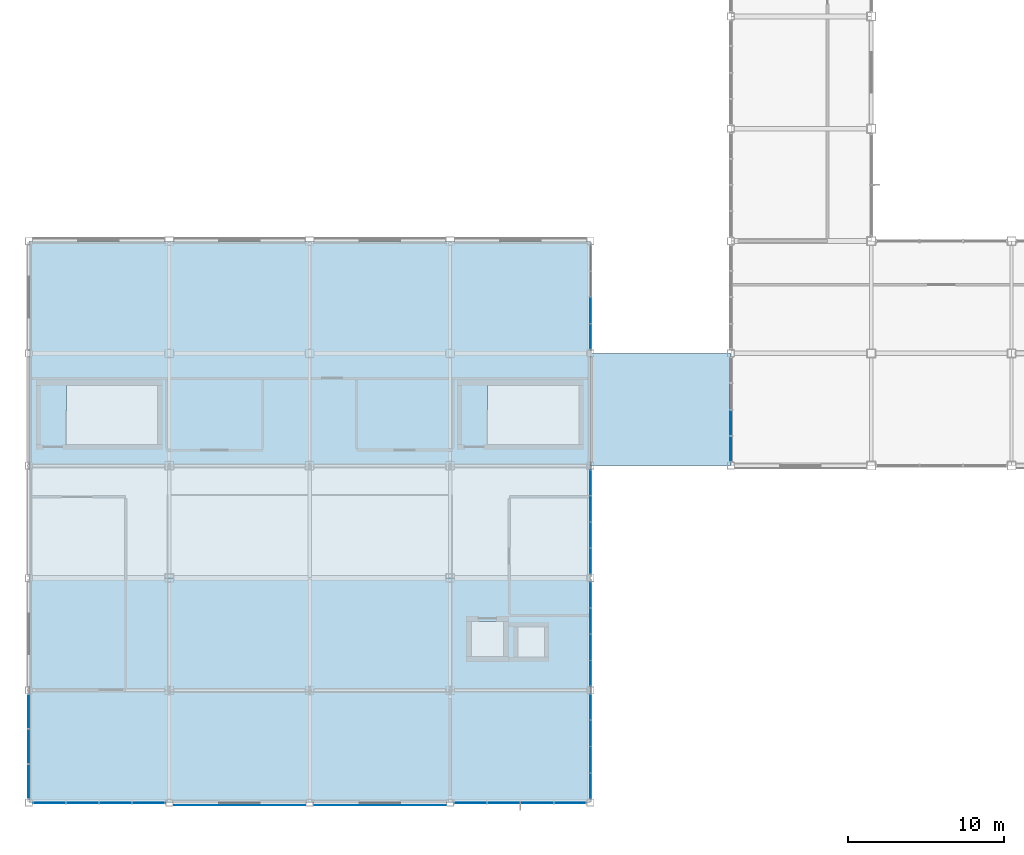
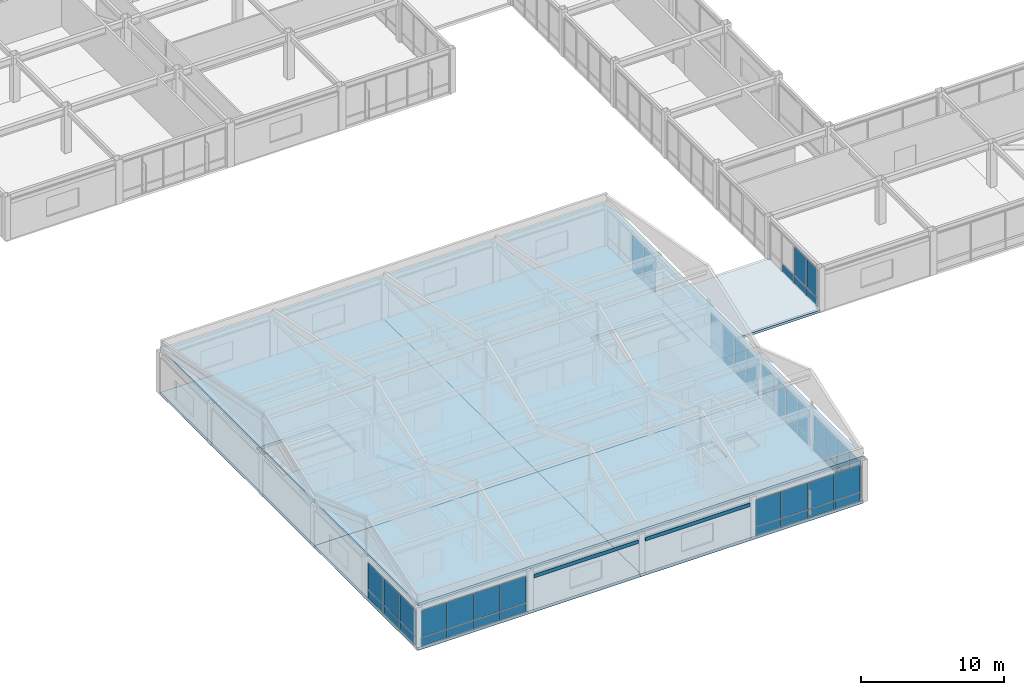
# One storey, part 83 of 113: 57 plates, 6 slabs, 8 elements without a shape of their own.
"""IFC4 building model written with IfcOpenShell, lengths in metres."""

from ifc_helpers import new_model, si_unit, direction, frame, origin, origin_2d, place, context, subcontext, project, spatial, polyline, rectangle, outline, extrude, material, layer, layer_set, type_object, element, aggregate, save


model = new_model("IFC4")

# Units and contexts
model_context = context("Model", 3, precision=1e-05, world=origin(), true_north=direction((0.0, 1.0)))
body_context = subcontext(model_context, "Body", "Model", "MODEL_VIEW")
ifc_project = project(units=[si_unit("LENGTHUNIT", "METRE"), si_unit("AREAUNIT", "SQUARE_METRE"), si_unit("VOLUMEUNIT", "CUBIC_METRE"), si_unit("PLANEANGLEUNIT", "RADIAN"), si_unit("MASSUNIT", "GRAM", prefix="KILO")], contexts=[model_context])

# Site, building, storey
site_placement = place(None, origin())
site = spatial("IfcSite", under=ifc_project, at=site_placement, CompositionType="ELEMENT")
building_placement = place(site_placement, origin())
building = spatial("IfcBuilding", under=site, at=building_placement, Name="Kazanami Central Library", CompositionType="ELEMENT")
storey_placement = place(building_placement, frame((0.0, 0.0, 8.800048828125)))
storey = spatial("IfcBuildingStorey", under=building, at=storey_placement, Name="L03", CompositionType="ELEMENT", Elevation=8.800048828125)

# Curtain wall, plates
ifc_material_1 = material(Name="Acid-Etched Low-E Laminated Glass", Category="glass")
curtain_wall_type_1 = type_object("IfcCurtainWallType", Name="CW-8550x3130-M225", PredefinedType="USERDEFINED", material=ifc_material_1)
curtain_wall_1_placement = place(storey_placement, origin())
curtain_wall_1 = element("IfcCurtainWall", 1, at=curtain_wall_1_placement, inside=storey, type_object=curtain_wall_type_1, Name="Unitised Curtain Wall CW-24 L03 S-A-00", ObjectType="UNITISED CURTAIN WALL", PredefinedType="USERDEFINED")
ifc_material_2 = material(Name="Low-E Insulated Triple Glass", Category="glass")
ifc_layer_1 = layer(ifc_material_2, 0.0400390625, Name="Low-E Insulated Triple Glass")
ifc_layer_set_1 = layer_set([ifc_layer_1], Name="Low-E Insulated Triple Glass")
plate_type_1 = type_object("IfcPlateType", Name="PLT-CW-P3", PredefinedType="CURTAIN_PANEL", material=ifc_layer_set_1)
plate_1_placement = place(storey_placement, frame((1.31005859375, 0.0, 0.8125), z_axis=(0.0, 0.0, 1.0), x_axis=(1.0, 0.0, 0.0)))
plate_1 = element("IfcPlate", 2, at=plate_1_placement, type_object=plate_type_1, Name="CW-24 panel 1.2", PredefinedType="CURTAIN_PANEL", context=body_context, shape_type="SweptSolid", body=[
    extrude(rectangle(XDim=2.0400390625, YDim=0.0400390625, at=origin_2d()), origin(), (0.0, 0.0, 1.0), 2.25244140625),
])
plate_2_placement = place(storey_placement, frame((3.43115234375, 0.0, 0.8125), z_axis=(0.0, 0.0, 1.0), x_axis=(1.0, 0.0, 0.0)))
plate_2 = element("IfcPlate", 3, at=plate_2_placement, type_object=plate_type_1, Name="CW-24 panel 2.2", PredefinedType="CURTAIN_PANEL", context=body_context, shape_type="SweptSolid", body=[
    extrude(rectangle(XDim=2.072509765625, YDim=0.0400390625, at=origin_2d()), origin(), (0.0, 0.0, 1.0), 2.25244140625),
])
plate_3_placement = place(storey_placement, frame((5.56884765625, 0.0, 0.8125), z_axis=(0.0, 0.0, 1.0), x_axis=(1.0, 0.0, 0.0)))
plate_3 = element("IfcPlate", 4, at=plate_3_placement, type_object=plate_type_1, Name="CW-24 panel 3.2", PredefinedType="CURTAIN_PANEL", context=body_context, shape_type="SweptSolid", body=[
    extrude(rectangle(XDim=2.072509765625, YDim=0.0400390625, at=origin_2d()), origin(), (0.0, 0.0, 1.0), 2.25244140625),
])
plate_4_placement = place(storey_placement, frame((7.68994140625, 0.0, 0.8125), z_axis=(0.0, 0.0, 1.0), x_axis=(1.0, 0.0, 0.0)))
plate_4 = element("IfcPlate", 5, at=plate_4_placement, type_object=plate_type_1, Name="CW-24 panel 4.2", PredefinedType="CURTAIN_PANEL", context=body_context, shape_type="SweptSolid", body=[
    extrude(rectangle(XDim=2.0400390625, YDim=0.0400390625, at=origin_2d()), origin(), (0.0, 0.0, 1.0), 2.25244140625),
])

curtain_wall_2_placement = place(storey_placement, origin())
curtain_wall_2 = element("IfcCurtainWall", 6, at=curtain_wall_2_placement, inside=storey, type_object=curtain_wall_type_1, Name="Unitised Curtain Wall CW-24 L03 S-A-03", ObjectType="UNITISED CURTAIN WALL", PredefinedType="USERDEFINED")
plate_5_placement = place(storey_placement, frame((28.31005859375, 0.0, 0.8125), z_axis=(0.0, 0.0, 1.0), x_axis=(1.0, 0.0, 0.0)))
plate_5 = element("IfcPlate", 7, at=plate_5_placement, type_object=plate_type_1, Name="CW-24 panel 1.2", PredefinedType="CURTAIN_PANEL", context=body_context, shape_type="SweptSolid", body=[
    extrude(rectangle(XDim=2.0400390625, YDim=0.0400390625, at=origin_2d()), origin(), (0.0, 0.0, 1.0), 2.25244140625),
])
plate_6_placement = place(storey_placement, frame((30.43115234375, 0.0, 0.8125), z_axis=(0.0, 0.0, 1.0), x_axis=(1.0, 0.0, 0.0)))
plate_6 = element("IfcPlate", 8, at=plate_6_placement, type_object=plate_type_1, Name="CW-24 panel 2.2", PredefinedType="CURTAIN_PANEL", context=body_context, shape_type="SweptSolid", body=[
    extrude(rectangle(XDim=2.072509765625, YDim=0.0400390625, at=origin_2d()), origin(), (0.0, 0.0, 1.0), 2.25244140625),
])
plate_7_placement = place(storey_placement, frame((32.56884765625, 0.0, 0.8125), z_axis=(0.0, 0.0, 1.0), x_axis=(1.0, 0.0, 0.0)))
plate_7 = element("IfcPlate", 9, at=plate_7_placement, type_object=plate_type_1, Name="CW-24 panel 3.2", PredefinedType="CURTAIN_PANEL", context=body_context, shape_type="SweptSolid", body=[
    extrude(rectangle(XDim=2.072509765625, YDim=0.0400390625, at=origin_2d()), origin(), (0.0, 0.0, 1.0), 2.25244140625),
])
plate_8_placement = place(storey_placement, frame((34.68994140625, 0.0, 0.8125), z_axis=(0.0, 0.0, 1.0), x_axis=(1.0, 0.0, 0.0)))
plate_8 = element("IfcPlate", 10, at=plate_8_placement, type_object=plate_type_1, Name="CW-24 panel 4.2", PredefinedType="CURTAIN_PANEL", context=body_context, shape_type="SweptSolid", body=[
    extrude(rectangle(XDim=2.0400390625, YDim=0.0400390625, at=origin_2d()), origin(), (0.0, 0.0, 1.0), 2.25244140625),
])

curtain_wall_type_2 = type_object("IfcCurtainWallType", Name="CW-6750x3130-M225", PredefinedType="USERDEFINED", material=ifc_material_1)
curtain_wall_3_placement = place(storey_placement, origin())
curtain_wall_3 = element("IfcCurtainWall", 11, at=curtain_wall_3_placement, inside=storey, type_object=curtain_wall_type_2, Name="Unitised Curtain Wall CW-31 L03 W-1-00", ObjectType="UNITISED CURTAIN WALL", PredefinedType="USERDEFINED")
plate_9_placement = place(storey_placement, frame((0.0, 1.3662109375, 0.8125), z_axis=(0.0, 0.0, 1.0), x_axis=(0.0, 1.0, 0.0)))
plate_9 = element("IfcPlate", 12, at=plate_9_placement, type_object=plate_type_1, Name="CW-31 panel 1.2", PredefinedType="CURTAIN_PANEL", context=body_context, shape_type="SweptSolid", body=[
    extrude(rectangle(XDim=2.152587890625, YDim=0.0400390625, at=origin_2d()), origin(), (0.0, 0.0, 1.0), 2.25244140625),
])
plate_10_placement = place(storey_placement, frame((0.0, 3.60009765625, 0.8125), z_axis=(0.0, 0.0, 1.0), x_axis=(0.0, 1.0, 0.0)))
plate_10 = element("IfcPlate", 13, at=plate_10_placement, type_object=plate_type_1, Name="CW-31 panel 2.2", PredefinedType="CURTAIN_PANEL", context=body_context, shape_type="SweptSolid", body=[
    extrude(rectangle(XDim=2.18505859375, YDim=0.0400390625, at=origin_2d()), origin(), (0.0, 0.0, 1.0), 2.25244140625),
])
plate_11_placement = place(storey_placement, frame((0.0, 5.833740234375, 0.8125), z_axis=(0.0, 0.0, 1.0), x_axis=(0.0, 1.0, 0.0)))
plate_11 = element("IfcPlate", 14, at=plate_11_placement, type_object=plate_type_1, Name="CW-31 panel 3.2", PredefinedType="CURTAIN_PANEL", context=body_context, shape_type="SweptSolid", body=[
    extrude(rectangle(XDim=2.152587890625, YDim=0.0400390625, at=origin_2d()), origin(), (0.0, 0.0, 1.0), 2.25244140625),
])

curtain_wall_type_3 = type_object("IfcCurtainWallType", Name="CW-6750x3130-M180", PredefinedType="USERDEFINED", material=ifc_material_1)
curtain_wall_4_placement = place(storey_placement, origin())
curtain_wall_4 = element("IfcCurtainWall", 15, at=curtain_wall_4_placement, inside=storey, type_object=curtain_wall_type_3, Name="Covered Link Bridge Curtain Wall CW-33 L03 E-5-00", ObjectType="UNITISED CURTAIN WALL", PredefinedType="USERDEFINED")
plate_12_placement = place(storey_placement, frame((36.0, 6.1162109375, 0.81005859375), z_axis=(0.0, 0.0, 1.0), x_axis=(0.0, -1.0, 0.0)))
plate_12 = element("IfcPlate", 16, at=plate_12_placement, type_object=plate_type_1, Name="CW-33 panel 1.2", PredefinedType="CURTAIN_PANEL", context=body_context, shape_type="SweptSolid", body=[
    extrude(rectangle(XDim=1.597412109375, YDim=0.0400390625, at=origin_2d()), origin(), (0.0, 0.0, 1.0), 2.260009765625),
])
plate_13_placement = place(storey_placement, frame((36.0, 4.44384765625, 0.81005859375), z_axis=(0.0, 0.0, 1.0), x_axis=(0.0, -1.0, 0.0)))
plate_13 = element("IfcPlate", 17, at=plate_13_placement, type_object=plate_type_1, Name="CW-33 panel 2.2", PredefinedType="CURTAIN_PANEL", context=body_context, shape_type="SweptSolid", body=[
    extrude(rectangle(XDim=1.62744140625, YDim=0.0400390625, at=origin_2d()), origin(), (0.0, 0.0, 1.0), 2.260009765625),
])
plate_14_placement = place(storey_placement, frame((36.0, 2.75634765625, 0.81005859375), z_axis=(0.0, 0.0, 1.0), x_axis=(0.0, -1.0, 0.0)))
plate_14 = element("IfcPlate", 18, at=plate_14_placement, type_object=plate_type_1, Name="CW-33 panel 3.2", PredefinedType="CURTAIN_PANEL", context=body_context, shape_type="SweptSolid", body=[
    extrude(rectangle(XDim=1.62744140625, YDim=0.0400390625, at=origin_2d()), origin(), (0.0, 0.0, 1.0), 2.260009765625),
])
plate_15_placement = place(storey_placement, frame((36.0, 1.083740234375, 0.81005859375), z_axis=(0.0, 0.0, 1.0), x_axis=(0.0, -1.0, 0.0)))
plate_15 = element("IfcPlate", 19, at=plate_15_placement, type_object=plate_type_1, Name="CW-33 panel 4.2", PredefinedType="CURTAIN_PANEL", context=body_context, shape_type="SweptSolid", body=[
    extrude(rectangle(XDim=1.597412109375, YDim=0.0400390625, at=origin_2d()), origin(), (0.0, 0.0, 1.0), 2.260009765625),
])

curtain_wall_5_placement = place(storey_placement, origin())
curtain_wall_5 = element("IfcCurtainWall", 20, at=curtain_wall_5_placement, inside=storey, type_object=curtain_wall_type_3, Name="Covered Link Bridge Curtain Wall CW-33 L03 E-5-01", ObjectType="UNITISED CURTAIN WALL", PredefinedType="USERDEFINED")
plate_16_placement = place(storey_placement, frame((36.0, 13.316162109375, 0.81005859375), z_axis=(0.0, 0.0, 1.0), x_axis=(0.0, -1.0, 0.0)))
plate_16 = element("IfcPlate", 21, at=plate_16_placement, type_object=plate_type_1, Name="CW-33 panel 1.2", PredefinedType="CURTAIN_PANEL", context=body_context, shape_type="SweptSolid", body=[
    extrude(rectangle(XDim=1.597412109375, YDim=0.0400390625, at=origin_2d()), origin(), (0.0, 0.0, 1.0), 2.260009765625),
])
plate_17_placement = place(storey_placement, frame((36.0, 11.643798828125, 0.81005859375), z_axis=(0.0, 0.0, 1.0), x_axis=(0.0, -1.0, 0.0)))
plate_17 = element("IfcPlate", 22, at=plate_17_placement, type_object=plate_type_1, Name="CW-33 panel 2.2", PredefinedType="CURTAIN_PANEL", context=body_context, shape_type="SweptSolid", body=[
    extrude(rectangle(XDim=1.62744140625, YDim=0.0400390625, at=origin_2d()), origin(), (0.0, 0.0, 1.0), 2.260009765625),
])
plate_18_placement = place(storey_placement, frame((36.0, 9.956298828125, 0.81005859375), z_axis=(0.0, 0.0, 1.0), x_axis=(0.0, -1.0, 0.0)))
plate_18 = element("IfcPlate", 23, at=plate_18_placement, type_object=plate_type_1, Name="CW-33 panel 3.2", PredefinedType="CURTAIN_PANEL", context=body_context, shape_type="SweptSolid", body=[
    extrude(rectangle(XDim=1.62744140625, YDim=0.0400390625, at=origin_2d()), origin(), (0.0, 0.0, 1.0), 2.260009765625),
])
plate_19_placement = place(storey_placement, frame((36.0, 8.28369140625, 0.81005859375), z_axis=(0.0, 0.0, 1.0), x_axis=(0.0, -1.0, 0.0)))
plate_19 = element("IfcPlate", 24, at=plate_19_placement, type_object=plate_type_1, Name="CW-33 panel 4.2", PredefinedType="CURTAIN_PANEL", context=body_context, shape_type="SweptSolid", body=[
    extrude(rectangle(XDim=1.597412109375, YDim=0.0400390625, at=origin_2d()), origin(), (0.0, 0.0, 1.0), 2.260009765625),
])

curtain_wall_6_placement = place(storey_placement, origin())
curtain_wall_6 = element("IfcCurtainWall", 25, at=curtain_wall_6_placement, inside=storey, type_object=curtain_wall_type_3, Name="Covered Link Bridge Curtain Wall CW-33 L03 E-5-02", ObjectType="UNITISED CURTAIN WALL", PredefinedType="USERDEFINED")
plate_20_placement = place(storey_placement, frame((36.0, 20.516357421875, 0.81005859375), z_axis=(0.0, 0.0, 1.0), x_axis=(0.0, -1.0, 0.0)))
plate_20 = element("IfcPlate", 26, at=plate_20_placement, type_object=plate_type_1, Name="CW-33 panel 1.2", PredefinedType="CURTAIN_PANEL", context=body_context, shape_type="SweptSolid", body=[
    extrude(rectangle(XDim=1.597412109375, YDim=0.0400390625, at=origin_2d()), origin(), (0.0, 0.0, 1.0), 2.260009765625),
])
plate_21_placement = place(storey_placement, frame((36.0, 18.84375, 0.81005859375), z_axis=(0.0, 0.0, 1.0), x_axis=(0.0, -1.0, 0.0)))
plate_21 = element("IfcPlate", 27, at=plate_21_placement, type_object=plate_type_1, Name="CW-33 panel 2.2", PredefinedType="CURTAIN_PANEL", context=body_context, shape_type="SweptSolid", body=[
    extrude(rectangle(XDim=1.62744140625, YDim=0.0400390625, at=origin_2d()), origin(), (0.0, 0.0, 1.0), 2.260009765625),
])
plate_22_placement = place(storey_placement, frame((36.0, 17.15625, 0.81005859375), z_axis=(0.0, 0.0, 1.0), x_axis=(0.0, -1.0, 0.0)))
plate_22 = element("IfcPlate", 28, at=plate_22_placement, type_object=plate_type_1, Name="CW-33 panel 3.2", PredefinedType="CURTAIN_PANEL", context=body_context, shape_type="SweptSolid", body=[
    extrude(rectangle(XDim=1.62744140625, YDim=0.0400390625, at=origin_2d()), origin(), (0.0, 0.0, 1.0), 2.260009765625),
])
plate_23_placement = place(storey_placement, frame((36.0, 15.483642578125, 0.81005859375), z_axis=(0.0, 0.0, 1.0), x_axis=(0.0, -1.0, 0.0)))
plate_23 = element("IfcPlate", 29, at=plate_23_placement, type_object=plate_type_1, Name="CW-33 panel 4.2", PredefinedType="CURTAIN_PANEL", context=body_context, shape_type="SweptSolid", body=[
    extrude(rectangle(XDim=1.597412109375, YDim=0.0400390625, at=origin_2d()), origin(), (0.0, 0.0, 1.0), 2.260009765625),
])

curtain_wall_7_placement = place(storey_placement, origin())
curtain_wall_7 = element("IfcCurtainWall", 30, at=curtain_wall_7_placement, inside=storey, type_object=curtain_wall_type_3, Name="Covered Link Bridge Curtain Wall CW-33 L03 E-5-04", ObjectType="UNITISED CURTAIN WALL", PredefinedType="USERDEFINED")
plate_24_placement = place(storey_placement, frame((36.0, 31.55615234375, 0.81005859375), z_axis=(0.0, 0.0, 1.0), x_axis=(0.0, -1.0, 0.0)))
plate_24 = element("IfcPlate", 31, at=plate_24_placement, type_object=plate_type_1, Name="CW-33 panel 3.2", PredefinedType="CURTAIN_PANEL", context=body_context, shape_type="SweptSolid", body=[
    extrude(rectangle(XDim=1.62744140625, YDim=0.0400390625, at=origin_2d()), origin(), (0.0, 0.0, 1.0), 2.260009765625),
])
plate_25_placement = place(storey_placement, frame((36.0, 29.8837890625, 0.81005859375), z_axis=(0.0, 0.0, 1.0), x_axis=(0.0, -1.0, 0.0)))
plate_25 = element("IfcPlate", 32, at=plate_25_placement, type_object=plate_type_1, Name="CW-33 panel 4.2", PredefinedType="CURTAIN_PANEL", context=body_context, shape_type="SweptSolid", body=[
    extrude(rectangle(XDim=1.597412109375, YDim=0.0400390625, at=origin_2d()), origin(), (0.0, 0.0, 1.0), 2.260009765625),
])

curtain_wall_type_4 = type_object("IfcCurtainWallType", Name="CW-6750x3330-M180", PredefinedType="USERDEFINED", material=ifc_material_1)
curtain_wall_8_placement = place(storey_placement, origin())
curtain_wall_8 = element("IfcCurtainWall", 33, at=curtain_wall_8_placement, inside=storey, type_object=curtain_wall_type_4, Name="Covered Link Bridge Curtain Wall CW-34 L03 W-6-03", ObjectType="UNITISED CURTAIN WALL", PredefinedType="USERDEFINED")
plate_26_placement = place(storey_placement, frame((45.0, 22.686279296875, 0.81494140625), z_axis=(0.0, 0.0, 1.0), x_axis=(0.0, 1.0, 0.0)))
plate_26 = element("IfcPlate", 34, at=plate_26_placement, type_object=plate_type_1, Name="CW-34 panel 1.2", PredefinedType="CURTAIN_PANEL", context=body_context, shape_type="SweptSolid", body=[
    extrude(rectangle(XDim=1.58251953125, YDim=0.0400390625, at=origin_2d()), origin(), (0.0, 0.0, 1.0), 2.445068359375),
])
plate_27_placement = place(storey_placement, frame((45.0, 24.356201171875, 0.81494140625), z_axis=(0.0, 0.0, 1.0), x_axis=(0.0, 1.0, 0.0)))
plate_27 = element("IfcPlate", 35, at=plate_27_placement, type_object=plate_type_1, Name="CW-34 panel 2.2", PredefinedType="CURTAIN_PANEL", context=body_context, shape_type="SweptSolid", body=[
    extrude(rectangle(XDim=1.617431640625, YDim=0.0400390625, at=origin_2d()), origin(), (0.0, 0.0, 1.0), 2.445068359375),
])
ifc_material_3 = material(Name="Anodised Aluminium A5052-H32", Category="aluminium")
ifc_layer_2 = layer(ifc_material_3, 0.06005859375, Name="Anodised Aluminium A5052-H32")
ifc_layer_set_2 = layer_set([ifc_layer_2], Name="Anodised Aluminium A5052-H32")
plate_type_2 = type_object("IfcPlateType", Name="PLT-CW-SP1", PredefinedType="CURTAIN_PANEL", material=ifc_layer_set_2)
plate_28_placement = place(storey_placement, frame((45.0, 22.686279296875, 0.06982421875), z_axis=(0.0, 0.0, 1.0), x_axis=(0.0, 1.0, 0.0)))
plate_28 = element("IfcPlate", 36, at=plate_28_placement, type_object=plate_type_2, Name="CW-34 panel 1.1", PredefinedType="CURTAIN_PANEL", context=body_context, shape_type="SweptSolid", body=[
    extrude(rectangle(XDim=1.58251953125, YDim=0.06005859375, at=origin_2d()), origin(), (0.0, 0.0, 1.0), 0.675048828125),
])
plate_29_placement = place(storey_placement, frame((45.0, 24.356201171875, 0.06982421875), z_axis=(0.0, 0.0, 1.0), x_axis=(0.0, 1.0, 0.0)))
plate_29 = element("IfcPlate", 37, at=plate_29_placement, type_object=plate_type_2, Name="CW-34 panel 2.1", PredefinedType="CURTAIN_PANEL", context=body_context, shape_type="SweptSolid", body=[
    extrude(rectangle(XDim=1.617431640625, YDim=0.06005859375, at=origin_2d()), origin(), (0.0, 0.0, 1.0), 0.675048828125),
])
plate_30_placement = place(storey_placement, frame((45.0, 26.043701171875, 0.06982421875), z_axis=(0.0, 0.0, 1.0), x_axis=(0.0, 1.0, 0.0)))
plate_30 = element("IfcPlate", 38, at=plate_30_placement, type_object=plate_type_2, Name="CW-34 panel 3.1", PredefinedType="CURTAIN_PANEL", context=body_context, shape_type="SweptSolid", body=[
    extrude(rectangle(XDim=1.617431640625, YDim=0.06005859375, at=origin_2d()), origin(), (0.0, 0.0, 1.0), 0.675048828125),
])
aggregate(curtain_wall_8, [plate_28, plate_26, plate_29, plate_27, plate_30])

# Plate
ifc_layer_3 = layer(ifc_material_3, 0.052001953125, Name="Anodised Aluminium A5052-H32")
ifc_layer_set_3 = layer_set([ifc_layer_3], Name="Anodised Aluminium A5052-H32")
plate_type_3 = type_object("IfcPlateType", Name="PLT-CW-SP2", PredefinedType="CURTAIN_PANEL", material=ifc_layer_set_3)
plate_31_placement = place(storey_placement, frame((1.31005859375, 0.0, 0.06494140625), z_axis=(0.0, 0.0, 1.0), x_axis=(1.0, 0.0, 0.0)))
plate_31 = element("IfcPlate", 39, at=plate_31_placement, type_object=plate_type_3, Name="CW-24 panel 1.1", PredefinedType="CURTAIN_PANEL", context=body_context, shape_type="SweptSolid", body=[
    extrude(rectangle(XDim=2.0400390625, YDim=0.052001953125, at=origin_2d()), origin(), (0.0, 0.0, 1.0), 0.6826171875),
])

plate_32_placement = place(storey_placement, frame((3.43115234375, 0.0, 0.06494140625), z_axis=(0.0, 0.0, 1.0), x_axis=(1.0, 0.0, 0.0)))
plate_32 = element("IfcPlate", 40, at=plate_32_placement, type_object=plate_type_3, Name="CW-24 panel 2.1", PredefinedType="CURTAIN_PANEL", context=body_context, shape_type="SweptSolid", body=[
    extrude(rectangle(XDim=2.072509765625, YDim=0.052001953125, at=origin_2d()), origin(), (0.0, 0.0, 1.0), 0.6826171875),
])

plate_33_placement = place(storey_placement, frame((5.56884765625, 0.0, 0.06494140625), z_axis=(0.0, 0.0, 1.0), x_axis=(1.0, 0.0, 0.0)))
plate_33 = element("IfcPlate", 41, at=plate_33_placement, type_object=plate_type_3, Name="CW-24 panel 3.1", PredefinedType="CURTAIN_PANEL", context=body_context, shape_type="SweptSolid", body=[
    extrude(rectangle(XDim=2.072509765625, YDim=0.052001953125, at=origin_2d()), origin(), (0.0, 0.0, 1.0), 0.6826171875),
])

plate_34_placement = place(storey_placement, frame((7.68994140625, 0.0, 0.06494140625), z_axis=(0.0, 0.0, 1.0), x_axis=(1.0, 0.0, 0.0)))
plate_34 = element("IfcPlate", 42, at=plate_34_placement, type_object=plate_type_3, Name="CW-24 panel 4.1", PredefinedType="CURTAIN_PANEL", context=body_context, shape_type="SweptSolid", body=[
    extrude(rectangle(XDim=2.0400390625, YDim=0.052001953125, at=origin_2d()), origin(), (0.0, 0.0, 1.0), 0.6826171875),
])

aggregate(curtain_wall_1, [plate_31, plate_1, plate_32, plate_2, plate_33, plate_3, plate_34, plate_4])

plate_35_placement = place(storey_placement, frame((28.31005859375, 0.0, 0.06494140625), z_axis=(0.0, 0.0, 1.0), x_axis=(1.0, 0.0, 0.0)))
plate_35 = element("IfcPlate", 43, at=plate_35_placement, type_object=plate_type_3, Name="CW-24 panel 1.1", PredefinedType="CURTAIN_PANEL", context=body_context, shape_type="SweptSolid", body=[
    extrude(rectangle(XDim=2.0400390625, YDim=0.052001953125, at=origin_2d()), origin(), (0.0, 0.0, 1.0), 0.6826171875),
])

plate_36_placement = place(storey_placement, frame((30.43115234375, 0.0, 0.06494140625), z_axis=(0.0, 0.0, 1.0), x_axis=(1.0, 0.0, 0.0)))
plate_36 = element("IfcPlate", 44, at=plate_36_placement, type_object=plate_type_3, Name="CW-24 panel 2.1", PredefinedType="CURTAIN_PANEL", context=body_context, shape_type="SweptSolid", body=[
    extrude(rectangle(XDim=2.072509765625, YDim=0.052001953125, at=origin_2d()), origin(), (0.0, 0.0, 1.0), 0.6826171875),
])

plate_37_placement = place(storey_placement, frame((32.56884765625, 0.0, 0.06494140625), z_axis=(0.0, 0.0, 1.0), x_axis=(1.0, 0.0, 0.0)))
plate_37 = element("IfcPlate", 45, at=plate_37_placement, type_object=plate_type_3, Name="CW-24 panel 3.1", PredefinedType="CURTAIN_PANEL", context=body_context, shape_type="SweptSolid", body=[
    extrude(rectangle(XDim=2.072509765625, YDim=0.052001953125, at=origin_2d()), origin(), (0.0, 0.0, 1.0), 0.6826171875),
])

plate_38_placement = place(storey_placement, frame((34.68994140625, 0.0, 0.06494140625), z_axis=(0.0, 0.0, 1.0), x_axis=(1.0, 0.0, 0.0)))
plate_38 = element("IfcPlate", 46, at=plate_38_placement, type_object=plate_type_3, Name="CW-24 panel 4.1", PredefinedType="CURTAIN_PANEL", context=body_context, shape_type="SweptSolid", body=[
    extrude(rectangle(XDim=2.0400390625, YDim=0.052001953125, at=origin_2d()), origin(), (0.0, 0.0, 1.0), 0.6826171875),
])

aggregate(curtain_wall_2, [plate_35, plate_5, plate_36, plate_6, plate_37, plate_7, plate_38, plate_8])

plate_39_placement = place(storey_placement, frame((0.0, 1.3662109375, 0.06494140625), z_axis=(0.0, 0.0, 1.0), x_axis=(0.0, 1.0, 0.0)))
plate_39 = element("IfcPlate", 47, at=plate_39_placement, type_object=plate_type_3, Name="CW-31 panel 1.1", PredefinedType="CURTAIN_PANEL", context=body_context, shape_type="SweptSolid", body=[
    extrude(rectangle(XDim=2.152587890625, YDim=0.052001953125, at=origin_2d()), origin(), (0.0, 0.0, 1.0), 0.6826171875),
])

plate_40_placement = place(storey_placement, frame((0.0, 3.60009765625, 0.06494140625), z_axis=(0.0, 0.0, 1.0), x_axis=(0.0, 1.0, 0.0)))
plate_40 = element("IfcPlate", 48, at=plate_40_placement, type_object=plate_type_3, Name="CW-31 panel 2.1", PredefinedType="CURTAIN_PANEL", context=body_context, shape_type="SweptSolid", body=[
    extrude(rectangle(XDim=2.18505859375, YDim=0.052001953125, at=origin_2d()), origin(), (0.0, 0.0, 1.0), 0.6826171875),
])

plate_41_placement = place(storey_placement, frame((0.0, 5.833740234375, 0.06494140625), z_axis=(0.0, 0.0, 1.0), x_axis=(0.0, 1.0, 0.0)))
plate_41 = element("IfcPlate", 49, at=plate_41_placement, type_object=plate_type_3, Name="CW-31 panel 3.1", PredefinedType="CURTAIN_PANEL", context=body_context, shape_type="SweptSolid", body=[
    extrude(rectangle(XDim=2.152587890625, YDim=0.052001953125, at=origin_2d()), origin(), (0.0, 0.0, 1.0), 0.6826171875),
])

aggregate(curtain_wall_3, [plate_39, plate_9, plate_40, plate_10, plate_41, plate_11])

plate_42_placement = place(storey_placement, frame((36.0, 6.1162109375, 0.06005859375), z_axis=(0.0, 0.0, 1.0), x_axis=(0.0, -1.0, 0.0)))
plate_42 = element("IfcPlate", 50, at=plate_42_placement, type_object=plate_type_3, Name="CW-33 panel 1.1", PredefinedType="CURTAIN_PANEL", context=body_context, shape_type="SweptSolid", body=[
    extrude(rectangle(XDim=1.597412109375, YDim=0.052001953125, at=origin_2d()), origin(), (0.0, 0.0, 1.0), 0.68994140625),
])

plate_43_placement = place(storey_placement, frame((36.0, 4.44384765625, 0.06005859375), z_axis=(0.0, 0.0, 1.0), x_axis=(0.0, -1.0, 0.0)))
plate_43 = element("IfcPlate", 51, at=plate_43_placement, type_object=plate_type_3, Name="CW-33 panel 2.1", PredefinedType="CURTAIN_PANEL", context=body_context, shape_type="SweptSolid", body=[
    extrude(rectangle(XDim=1.62744140625, YDim=0.052001953125, at=origin_2d()), origin(), (0.0, 0.0, 1.0), 0.68994140625),
])

plate_44_placement = place(storey_placement, frame((36.0, 2.75634765625, 0.06005859375), z_axis=(0.0, 0.0, 1.0), x_axis=(0.0, -1.0, 0.0)))
plate_44 = element("IfcPlate", 52, at=plate_44_placement, type_object=plate_type_3, Name="CW-33 panel 3.1", PredefinedType="CURTAIN_PANEL", context=body_context, shape_type="SweptSolid", body=[
    extrude(rectangle(XDim=1.62744140625, YDim=0.052001953125, at=origin_2d()), origin(), (0.0, 0.0, 1.0), 0.68994140625),
])

plate_45_placement = place(storey_placement, frame((36.0, 1.083740234375, 0.06005859375), z_axis=(0.0, 0.0, 1.0), x_axis=(0.0, -1.0, 0.0)))
plate_45 = element("IfcPlate", 53, at=plate_45_placement, type_object=plate_type_3, Name="CW-33 panel 4.1", PredefinedType="CURTAIN_PANEL", context=body_context, shape_type="SweptSolid", body=[
    extrude(rectangle(XDim=1.597412109375, YDim=0.052001953125, at=origin_2d()), origin(), (0.0, 0.0, 1.0), 0.68994140625),
])

aggregate(curtain_wall_4, [plate_42, plate_12, plate_43, plate_13, plate_44, plate_14, plate_45, plate_15])

plate_46_placement = place(storey_placement, frame((36.0, 13.316162109375, 0.06005859375), z_axis=(0.0, 0.0, 1.0), x_axis=(0.0, -1.0, 0.0)))
plate_46 = element("IfcPlate", 54, at=plate_46_placement, type_object=plate_type_3, Name="CW-33 panel 1.1", PredefinedType="CURTAIN_PANEL", context=body_context, shape_type="SweptSolid", body=[
    extrude(rectangle(XDim=1.597412109375, YDim=0.052001953125, at=origin_2d()), origin(), (0.0, 0.0, 1.0), 0.68994140625),
])

plate_47_placement = place(storey_placement, frame((36.0, 11.643798828125, 0.06005859375), z_axis=(0.0, 0.0, 1.0), x_axis=(0.0, -1.0, 0.0)))
plate_47 = element("IfcPlate", 55, at=plate_47_placement, type_object=plate_type_3, Name="CW-33 panel 2.1", PredefinedType="CURTAIN_PANEL", context=body_context, shape_type="SweptSolid", body=[
    extrude(rectangle(XDim=1.62744140625, YDim=0.052001953125, at=origin_2d()), origin(), (0.0, 0.0, 1.0), 0.68994140625),
])

plate_48_placement = place(storey_placement, frame((36.0, 9.956298828125, 0.06005859375), z_axis=(0.0, 0.0, 1.0), x_axis=(0.0, -1.0, 0.0)))
plate_48 = element("IfcPlate", 56, at=plate_48_placement, type_object=plate_type_3, Name="CW-33 panel 3.1", PredefinedType="CURTAIN_PANEL", context=body_context, shape_type="SweptSolid", body=[
    extrude(rectangle(XDim=1.62744140625, YDim=0.052001953125, at=origin_2d()), origin(), (0.0, 0.0, 1.0), 0.68994140625),
])

plate_49_placement = place(storey_placement, frame((36.0, 8.28369140625, 0.06005859375), z_axis=(0.0, 0.0, 1.0), x_axis=(0.0, -1.0, 0.0)))
plate_49 = element("IfcPlate", 57, at=plate_49_placement, type_object=plate_type_3, Name="CW-33 panel 4.1", PredefinedType="CURTAIN_PANEL", context=body_context, shape_type="SweptSolid", body=[
    extrude(rectangle(XDim=1.597412109375, YDim=0.052001953125, at=origin_2d()), origin(), (0.0, 0.0, 1.0), 0.68994140625),
])

aggregate(curtain_wall_5, [plate_46, plate_16, plate_47, plate_17, plate_48, plate_18, plate_49, plate_19])

plate_50_placement = place(storey_placement, frame((36.0, 20.516357421875, 0.06005859375), z_axis=(0.0, 0.0, 1.0), x_axis=(0.0, -1.0, 0.0)))
plate_50 = element("IfcPlate", 58, at=plate_50_placement, type_object=plate_type_3, Name="CW-33 panel 1.1", PredefinedType="CURTAIN_PANEL", context=body_context, shape_type="SweptSolid", body=[
    extrude(rectangle(XDim=1.597412109375, YDim=0.052001953125, at=origin_2d()), origin(), (0.0, 0.0, 1.0), 0.68994140625),
])

plate_51_placement = place(storey_placement, frame((36.0, 18.84375, 0.06005859375), z_axis=(0.0, 0.0, 1.0), x_axis=(0.0, -1.0, 0.0)))
plate_51 = element("IfcPlate", 59, at=plate_51_placement, type_object=plate_type_3, Name="CW-33 panel 2.1", PredefinedType="CURTAIN_PANEL", context=body_context, shape_type="SweptSolid", body=[
    extrude(rectangle(XDim=1.62744140625, YDim=0.052001953125, at=origin_2d()), origin(), (0.0, 0.0, 1.0), 0.68994140625),
])

plate_52_placement = place(storey_placement, frame((36.0, 17.15625, 0.06005859375), z_axis=(0.0, 0.0, 1.0), x_axis=(0.0, -1.0, 0.0)))
plate_52 = element("IfcPlate", 60, at=plate_52_placement, type_object=plate_type_3, Name="CW-33 panel 3.1", PredefinedType="CURTAIN_PANEL", context=body_context, shape_type="SweptSolid", body=[
    extrude(rectangle(XDim=1.62744140625, YDim=0.052001953125, at=origin_2d()), origin(), (0.0, 0.0, 1.0), 0.68994140625),
])

plate_53_placement = place(storey_placement, frame((36.0, 15.483642578125, 0.06005859375), z_axis=(0.0, 0.0, 1.0), x_axis=(0.0, -1.0, 0.0)))
plate_53 = element("IfcPlate", 61, at=plate_53_placement, type_object=plate_type_3, Name="CW-33 panel 4.1", PredefinedType="CURTAIN_PANEL", context=body_context, shape_type="SweptSolid", body=[
    extrude(rectangle(XDim=1.597412109375, YDim=0.052001953125, at=origin_2d()), origin(), (0.0, 0.0, 1.0), 0.68994140625),
])

aggregate(curtain_wall_6, [plate_50, plate_20, plate_51, plate_21, plate_52, plate_22, plate_53, plate_23])

plate_54_placement = place(storey_placement, frame((36.0, 31.55615234375, 0.06005859375), z_axis=(0.0, 0.0, 1.0), x_axis=(0.0, -1.0, 0.0)))
plate_54 = element("IfcPlate", 62, at=plate_54_placement, type_object=plate_type_3, Name="CW-33 panel 3.1", PredefinedType="CURTAIN_PANEL", context=body_context, shape_type="SweptSolid", body=[
    extrude(rectangle(XDim=1.62744140625, YDim=0.052001953125, at=origin_2d()), origin(), (0.0, 0.0, 1.0), 0.68994140625),
])

plate_55_placement = place(storey_placement, frame((36.0, 29.8837890625, 0.06005859375), z_axis=(0.0, 0.0, 1.0), x_axis=(0.0, -1.0, 0.0)))
plate_55 = element("IfcPlate", 63, at=plate_55_placement, type_object=plate_type_3, Name="CW-33 panel 4.1", PredefinedType="CURTAIN_PANEL", context=body_context, shape_type="SweptSolid", body=[
    extrude(rectangle(XDim=1.597412109375, YDim=0.052001953125, at=origin_2d()), origin(), (0.0, 0.0, 1.0), 0.68994140625),
])

aggregate(curtain_wall_7, [plate_54, plate_24, plate_55, plate_25])

# Plates
ifc_layer_4 = layer(ifc_material_3, 0.01806640625, Name="Anodised Aluminium A5052-H32")
ifc_layer_set_4 = layer_set([ifc_layer_4], Name="Anodised Aluminium A5052-H32")
plate_type_4 = type_object("IfcPlateType", Name="PLT-SPN-18", PredefinedType="SHEET", material=ifc_layer_set_4)
plate_56_placement = place(storey_placement, frame((13.5, -0.1689453125, 2.81982421875), z_axis=(0.0, 0.0, 1.0), x_axis=(1.0, 0.0, 0.0)))
element("IfcPlate", 64, at=plate_56_placement, inside=storey, type_object=plate_type_4, Name="Architectural Spandrel Sheet SPN-18 L03 S-A-01", PredefinedType="SHEET", context=body_context, shape_type="SweptSolid", body=[
    extrude(rectangle(XDim=8.449951171875, YDim=0.01806640625, at=origin_2d()), origin(), (0.0, 0.0, 1.0), 0.300048828125),
])
ifc_layer_5 = layer(ifc_material_3, 0.02001953125, Name="Anodised Aluminium A5052-H32")
ifc_layer_set_5 = layer_set([ifc_layer_5], Name="Anodised Aluminium A5052-H32")
plate_type_5 = type_object("IfcPlateType", Name="PLT-SPN-20", PredefinedType="SHEET", material=ifc_layer_set_5)
plate_57_placement = place(storey_placement, frame((22.5, -0.169921875, 2.81982421875), z_axis=(0.0, 0.0, 1.0), x_axis=(1.0, 0.0, 0.0)))
element("IfcPlate", 65, at=plate_57_placement, inside=storey, type_object=plate_type_5, Name="Architectural Spandrel Sheet SPN-20 L03 S-A-02", PredefinedType="SHEET", context=body_context, shape_type="SweptSolid", body=[
    extrude(rectangle(XDim=8.449951171875, YDim=0.02001953125, at=origin_2d()), origin(), (0.0, 0.0, 1.0), 0.300048828125),
])

# Slabs
ifc_material_4 = material(Name="Concrete Fc36 (36 MPa)", Category="concrete")
ifc_layer_6 = layer(ifc_material_4, 0.2451171875, Name="Concrete Fc36 (36 MPa)")
ifc_layer_set_6 = layer_set([ifc_layer_6], Name="Concrete Fc36 (36 MPa)")
slab_type_1 = type_object("IfcSlabType", Name="SLB-FLR-245", PredefinedType="FLOOR", material=ifc_layer_set_6)
slab_1_placement = place(storey_placement, frame((0.0, 0.0, -0.2451171875)))
element("IfcSlab", 66, at=slab_1_placement, inside=storey, type_object=slab_type_1, Name="Composite Floor Slab L03 V3-PAV Zone 1", PredefinedType="FLOOR", context=body_context, shape_type="SweptSolid", body=[
    extrude(outline(polyline([(0.0, 0.0), (18.0, 0.0), (18.0, 14.39990234375), (0.0, 14.39990234375), (0.0, 0.0)])), origin(), (0.0, 0.0, 1.0), 0.2451171875),
])
slab_2_placement = place(storey_placement, frame((0.0, 0.0, -0.2451171875)))
element("IfcSlab", 67, at=slab_2_placement, inside=storey, type_object=slab_type_1, Name="Composite Floor Slab L03 V3-PAV Zone 2", PredefinedType="FLOOR", context=body_context, shape_type="SweptSolid", body=[
    extrude(outline(polyline([(0.0, 14.39990234375), (18.0, 14.39990234375), (18.0, 36.0), (0.0, 36.0), (0.0, 14.39990234375)]), holes=[polyline([(2.39990234375, 22.949951171875), (8.25, 22.949951171875), (8.25, 26.75), (2.39990234375, 26.75), (2.39990234375, 22.949951171875)])]), origin(), (0.0, 0.0, 1.0), 0.2451171875),
])
slab_3_placement = place(storey_placement, frame((0.0, 0.0, -0.2451171875)))
element("IfcSlab", 68, at=slab_3_placement, inside=storey, type_object=slab_type_1, Name="Composite Floor Slab L03 V3-PAV Zone 3", PredefinedType="FLOOR", context=body_context, shape_type="SweptSolid", body=[
    extrude(outline(polyline([(18.0, 0.0), (36.0, 0.0), (36.0, 14.39990234375), (18.0, 14.39990234375), (18.0, 0.0)]), holes=[polyline([(28.375, 9.375), (30.425048828125, 9.375), (30.425048828125, 11.625), (28.375, 11.625), (28.375, 9.375)]), polyline([(31.35009765625, 9.35009765625), (33.050048828125, 9.35009765625), (33.050048828125, 11.25), (31.35009765625, 11.25), (31.35009765625, 9.35009765625)])]), origin(), (0.0, 0.0, 1.0), 0.2451171875),
])
slab_4_placement = place(storey_placement, frame((0.0, 0.0, -0.2451171875)))
element("IfcSlab", 69, at=slab_4_placement, inside=storey, type_object=slab_type_1, Name="Composite Floor Slab L03 V3-PAV Zone 4", PredefinedType="FLOOR", context=body_context, shape_type="SweptSolid", body=[
    extrude(outline(polyline([(18.0, 14.39990234375), (36.0, 14.39990234375), (36.0, 36.0), (18.0, 36.0), (18.0, 14.39990234375)]), holes=[polyline([(29.39990234375, 22.949951171875), (35.25, 22.949951171875), (35.25, 26.75), (29.39990234375, 26.75), (29.39990234375, 22.949951171875)])]), origin(), (0.0, 0.0, 1.0), 0.2451171875),
])
ifc_layer_7 = layer(ifc_material_4, 0.2099609375, Name="Concrete Fc36 (36 MPa)")
ifc_layer_set_7 = layer_set([ifc_layer_7], Name="Concrete Fc36 (36 MPa)")
slab_type_2 = type_object("IfcSlabType", Name="SLB-ROOF-210", PredefinedType="ROOF", material=ifc_layer_set_7)
slab_5_placement = place(storey_placement, frame((0.0, 0.0, -0.2099609375)))
element("IfcSlab", 70, at=slab_5_placement, inside=storey, type_object=slab_type_2, Name="Covered Seismic-Joint Link Bridge Roof Slab ROOF-L02-BRG-WS", PredefinedType="ROOF", context=body_context, shape_type="SweptSolid", body=[
    extrude(outline(polyline([(36.0, 21.60009765625), (45.0, 21.60009765625), (45.0, 28.800048828125), (36.0, 28.800048828125), (36.0, 21.60009765625)])), origin(), (0.0, 0.0, 1.0), 0.2099609375),
])
ifc_layer_8 = layer(ifc_material_4, 0.219970703125, Name="Concrete Fc36 (36 MPa)")
ifc_layer_set_8 = layer_set([ifc_layer_8], Name="Concrete Fc36 (36 MPa)")
slab_type_3 = type_object("IfcSlabType", Name="SLB-ROOF-220", PredefinedType="ROOF", material=ifc_layer_set_8)
slab_6_placement = place(storey_placement, frame((0.0, 0.0, 3.579833984375)))
element("IfcSlab", 71, at=slab_6_placement, inside=storey, type_object=slab_type_3, Name="Structural Roof Slab ROOF-L03-V3", PredefinedType="ROOF", context=body_context, shape_type="SweptSolid", body=[
    extrude(outline(polyline([(0.0, 0.0), (36.0, 0.0), (36.0, 36.0), (0.0, 36.0), (0.0, 0.0)])), origin(), (0.0, 0.0, 1.0), 0.22021484375),
])

save(model, "model.ifc")
